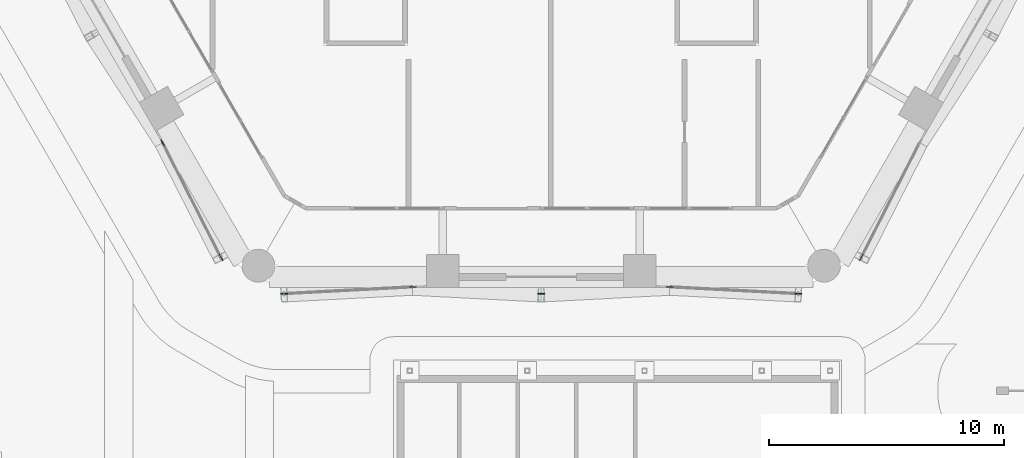
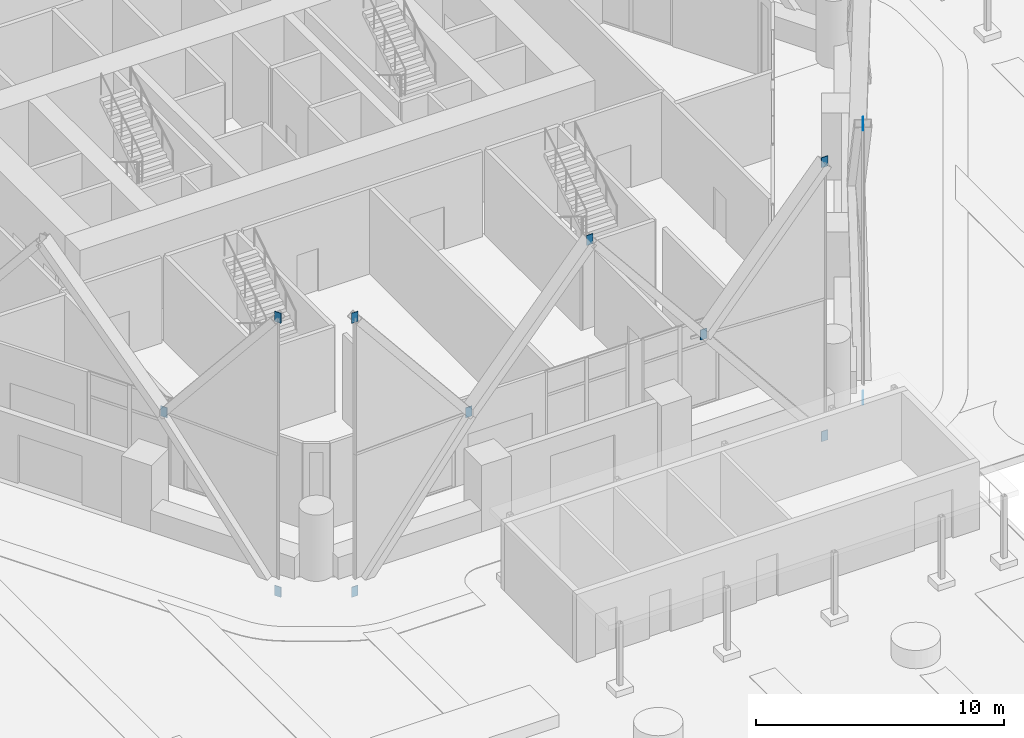
# One storey, part 58 of 71: 12 discrete accessories.
"""IFC4 building model written with IfcOpenShell, lengths in metres."""

from ifc_helpers import new_model, si_unit, direction, frame, origin, origin_2d, place, context, subcontext, project, spatial, rectangle, extrude, material, layer, layer_set, type_object, element, save


model = new_model("IFC4")

# Units and contexts
model_context = context("Model", 3, precision=1e-05, world=origin(), true_north=direction((0.0, 1.0)))
body_context = subcontext(model_context, "Body", "Model", "MODEL_VIEW")
ifc_project = project(units=[si_unit("LENGTHUNIT", "METRE"), si_unit("AREAUNIT", "SQUARE_METRE"), si_unit("VOLUMEUNIT", "CUBIC_METRE"), si_unit("PLANEANGLEUNIT", "RADIAN"), si_unit("MASSUNIT", "GRAM", prefix="KILO")], contexts=[model_context])

# Site, building, storey
site_placement = place(None, origin())
site = spatial("IfcSite", under=ifc_project, at=site_placement, CompositionType="ELEMENT")
building_placement = place(site_placement, origin())
building = spatial("IfcBuilding", under=site, at=building_placement, Name="Ostrander Bayou Hotel Tower", CompositionType="ELEMENT")
storey_placement = place(building_placement, frame((0.0, 0.0, 10.0)))
storey = spatial("IfcBuildingStorey", under=building, at=storey_placement, Name="L02", CompositionType="ELEMENT", Elevation=10.0)

# Discrete accessories
ifc_material = material(Name="Steel ASTM A572 Gr 50", Category="steel")
ifc_layer = layer(ifc_material, 0.030029296875)
ifc_layer_set = layer_set([ifc_layer], Name="GP1 gusset plate 30 mm")
discrete_accessory_type = type_object("IfcDiscreteAccessoryType", Name="GP1 gusset plate 30 mm", PredefinedType="BRACKET", material=ifc_layer_set)
for number, where, z_axis, x_axis, name in (
    (1, (-16.126953125, -15.63330078125, 5.89990234375), (0.0, 0.0, 1.0), (0.5, -0.866025403784, 0.0), "GP1 gusset plate lat 16"),
    (2, (-13.637939453125, -20.5185546875, -0.85009765625), (0.0, 0.0, 1.0), (0.5, -0.866025403784, 0.0), "GP1 gusset plate lat 17"),
    (3, (-13.637939453125, -20.5185546875, 12.64990234375), (0.0, 0.0, 1.0), (0.5, -0.866025403784, 0.0), "GP1 gusset plate lat 18"),
    (4, (-5.475341796875, -21.783203125, 5.89990234375), (0.0, 0.0, 1.0), (1.0, 0.0, 0.0), "GP1 gusset plate lat 19"),
    (5, (-10.95068359375, -22.070068359375, -0.85009765625), (0.0, 0.0, 1.0), (1.0, 0.0, 0.0), "GP1 gusset plate lat 20"),
    (6, (-10.95068359375, -22.070068359375, 12.64990234375), (0.0, 0.0, 1.0), (1.0, 0.0, 0.0), "GP1 gusset plate lat 21"),
    (7, (0.0, -22.070068359375, 12.64990234375), (0.0, 0.0, 1.0), (1.0, 0.0, 0.0), "GP1 gusset plate lat 22"),
    (8, (5.475341796875, -21.783203125, 5.89990234375), (0.0, 0.0, 1.0), (1.0, 0.0, 0.0), "GP1 gusset plate lat 23"),
    (9, (10.95068359375, -22.070068359375, -0.85009765625), (0.0, 0.0, 1.0), (1.0, 0.0, 0.0), "GP1 gusset plate lat 24"),
    (10, (10.95068359375, -22.070068359375, 12.64990234375), (0.0, 0.0, 1.0), (1.0, 0.0, 0.0), "GP1 gusset plate lat 25"),
    (11, (13.637939453125, -20.5185546875, -0.85009765625), (0.0, 0.0, 1.0), (0.5, 0.866025403784, 0.0), "GP1 gusset plate lat 27"),
    (12, (13.637939453125, -20.5185546875, 12.64990234375), (0.0, 0.0, 1.0), (0.5, 0.866025403784, 0.0), "GP1 gusset plate lat 28"),
):
    element("IfcDiscreteAccessory", number, at=place(storey_placement, frame(where, z_axis=z_axis, x_axis=x_axis)), inside=storey, type_object=discrete_accessory_type, Name=name, PredefinedType="BRACKET", context=body_context, shape_type="SweptSolid", body=[
        extrude(rectangle(XDim=0.300048828125, YDim=0.030029296875, at=origin_2d()), origin(), (0.0, 0.0, 1.0), 0.5),
    ])

save(model, "model.ifc")
